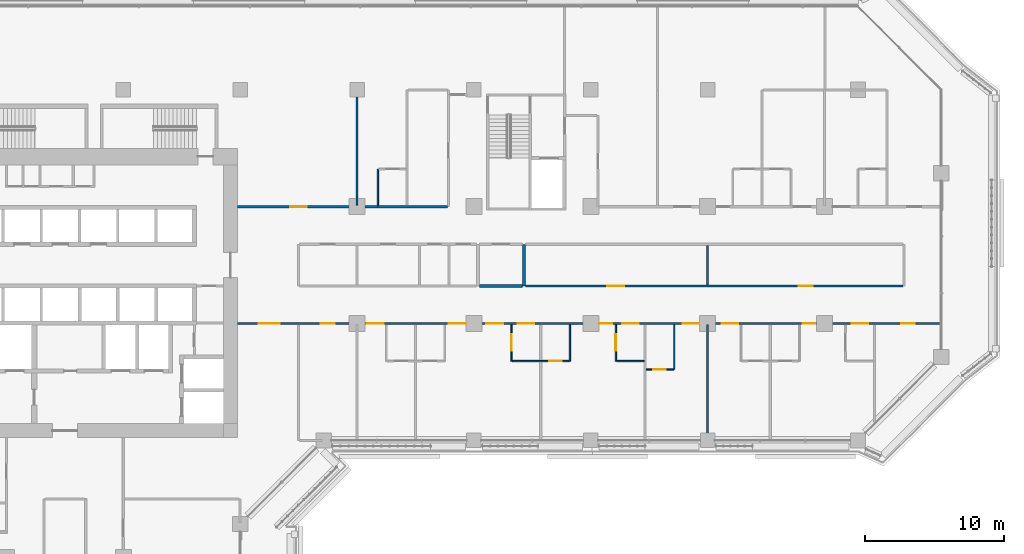
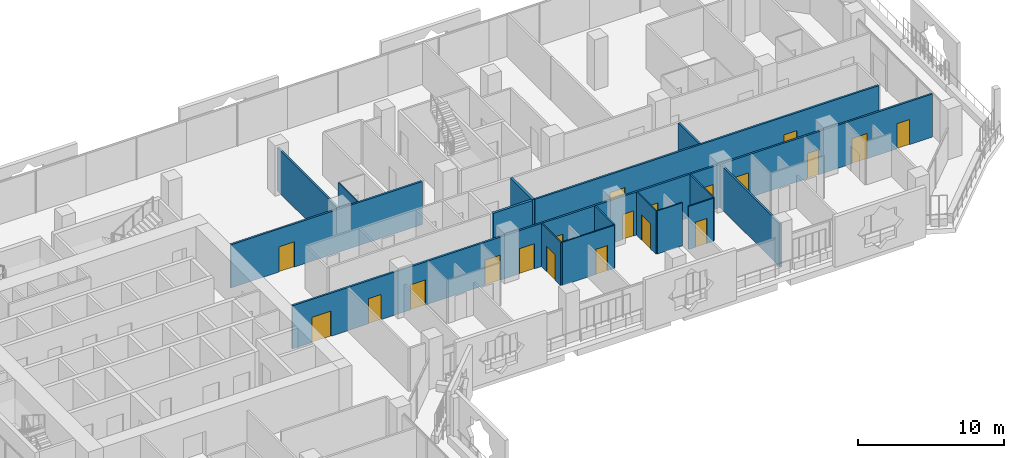
# One storey, part 15 of 25: 20 doors, 16 walls, 20 openings.
"""IFC4 building model written with IfcOpenShell, lengths in metres."""

import ifcopenshell
import ifcopenshell.guid

model = None  # the IFC model being written
_history = None  # IfcOwnerHistory: only IFC2X3 demands one
_inside = {}  # id of a spatial element -> (the spatial element, [elements in it])
_under = {}  # id of a project, library or spatial element -> (it, [spatial elements below it])
_declared = {}  # id of a project -> (the project, [libraries it declares])
_typed = {}  # id of a type object -> (the type object, [elements of that type])
_made_of = {}  # id of a material, layer set ... -> (it, [elements and type objects made of it])


def new_model(schema):
    """Start an empty IFC model of exactly this schema.

    Asked for "IFC4X3", IfcOpenShell would pick the latest addendum, in which some entities
    have other attributes; the version numbers below select the first issue.
    IFC2X3 requires an IfcOwnerHistory on every rooted entity: one is made here for all.
    """
    global model, _history
    if schema == "IFC4X3":
        model = ifcopenshell.file(schema_version=(4, 3, 0, 0))
    else:
        model = ifcopenshell.file(schema=schema)
    _inside.clear()
    _under.clear()
    _declared.clear()
    _typed.clear()
    _made_of.clear()
    _history = None
    if model.schema == "IFC2X3":
        org = make("IfcOrganization", Name="unknown")
        user = make(
            "IfcPersonAndOrganization",
            ThePerson=make("IfcPerson", FamilyName="unknown"),
            TheOrganization=org,
        )
        app = make(
            "IfcApplication",
            ApplicationDeveloper=org,
            Version="unknown",
            ApplicationFullName="unknown",
            ApplicationIdentifier="unknown",
        )
        _history = make(
            "IfcOwnerHistory",
            OwningUser=user,
            OwningApplication=app,
            ChangeAction="ADDED",
            CreationDate=0,
        )
    return model


def make(cls, **values):
    """One entity of the class cls with the attributes given. An attribute that is None is left unset."""
    return model.create_entity(
        cls, **{name: value for name, value in values.items() if value is not None}
    )


def rooted(cls, **values):
    """An entity with a GlobalId (a new one), such as an element, a storey or a relation."""
    return make(cls, GlobalId=ifcopenshell.guid.new(), OwnerHistory=_history, **values)


def si_unit(unit_type, name, prefix=None):
    """IfcSIUnit, for example si_unit("LENGTHUNIT", "METRE", prefix="MILLI")."""
    return make("IfcSIUnit", UnitType=unit_type, Prefix=prefix, Name=name)


def assignment(units):
    """IfcUnitAssignment: the units of a project."""
    return None if units is None else make("IfcUnitAssignment", Units=units)


def point(xyz):
    """IfcCartesianPoint."""
    return None if xyz is None else make("IfcCartesianPoint", Coordinates=xyz)


def direction(xyz):
    """IfcDirection."""
    return None if xyz is None else make("IfcDirection", DirectionRatios=xyz)


def frame(location, z_axis=None, x_axis=None):
    """IfcAxis2Placement3D, a coordinate frame: its origin and axes. An axis left out is left unset."""
    return make(
        "IfcAxis2Placement3D",
        Location=point(location),
        Axis=direction(z_axis),
        RefDirection=direction(x_axis),
    )


def frame_2d(location, x_axis=None):
    """IfcAxis2Placement2D, a coordinate frame in the plane: its origin and x axis."""
    return make(
        "IfcAxis2Placement2D", Location=point(location), RefDirection=direction(x_axis)
    )


def origin():
    """The frame at (0, 0, 0) with its axes left unset."""
    return frame((0.0, 0.0, 0.0))


def place(relative_to, where):
    """IfcLocalPlacement: puts the frame where relative to a parent placement (None: the world)."""
    return make(
        "IfcLocalPlacement", PlacementRelTo=relative_to, RelativePlacement=where
    )


def context(
    kind, dimensions, precision=None, world=None, true_north=None, identifier=None
):
    """IfcGeometricRepresentationContext, for example the 3D "Model" context."""
    return make(
        "IfcGeometricRepresentationContext",
        ContextIdentifier=identifier,
        ContextType=kind,
        CoordinateSpaceDimension=dimensions,
        Precision=precision,
        WorldCoordinateSystem=world,
        TrueNorth=true_north,
    )


def subcontext(parent, identifier, kind, view, scale=None):
    """IfcGeometricRepresentationSubContext, for example "Body" below "Model"."""
    return make(
        "IfcGeometricRepresentationSubContext",
        ContextIdentifier=identifier,
        ContextType=kind,
        ParentContext=parent,
        TargetScale=scale,
        TargetView=view,
    )


def project(units=None, contexts=None):
    """IfcProject with its units and contexts."""
    return rooted(
        "IfcProject",
        Name="project",
        RepresentationContexts=contexts,
        UnitsInContext=assignment(units),
    )


def spatial(cls, under=None, at=None, **own):
    """A site, building, storey or space (cls), placed at a placement, below another one or the project."""
    s = rooted(cls, ObjectPlacement=at, **own)
    if under is not None:
        _under.setdefault(under.id(), (under, []))[1].append(s)
    return s


def profile(cls, at=None, kind="AREA", **sizes):
    """A parametric profile (cls). Its sizes go by their IFC names, for example OverallWidth=200.0."""
    return make(cls, ProfileType=kind, Position=at, **sizes)


def rectangle(**sizes):
    """IfcRectangleProfileDef."""
    return profile("IfcRectangleProfileDef", **sizes)


def extrude(swept, where, along, depth):
    """IfcExtrudedAreaSolid: the profile swept, set in the frame where, extruded along a direction by depth."""
    return make(
        "IfcExtrudedAreaSolid",
        SweptArea=swept,
        Position=where,
        ExtrudedDirection=direction(along),
        Depth=depth,
    )


def shape(context_of_items, identifier, shape_type, items):
    """IfcShapeRepresentation: the items that make up one representation, for example the "Body"."""
    return make(
        "IfcShapeRepresentation",
        ContextOfItems=context_of_items,
        RepresentationIdentifier=identifier,
        RepresentationType=shape_type,
        Items=items,
    )


def material(Name=None, Category=None):
    """IfcMaterial."""
    return make("IfcMaterial", Name=Name, Category=Category)


def layer(
    of_material, thickness, ventilated=None, Name=None, Category=None, Priority=None
):
    """IfcMaterialLayer: one layer of a wall or slab, of a material (None: an air gap)."""
    return make(
        "IfcMaterialLayer",
        Material=of_material,
        LayerThickness=thickness,
        IsVentilated=ventilated,
        Name=Name,
        Category=Category,
        Priority=Priority,
    )


def layer_set(layers, Name=None):
    """IfcMaterialLayerSet."""
    return make("IfcMaterialLayerSet", MaterialLayers=layers, LayerSetName=Name)


def made_of(thing, what):
    """Note that an element or type object is made of a material, layer set ...; save() writes the relation."""
    if what is not None:
        _made_of.setdefault(what.id(), (what, []))[1].append(thing)
    return thing


def type_object(cls, material=None, **own):
    """A type object (cls), such as IfcWallType, which elements share."""
    return made_of(rooted(cls, **own), material)


def element(
    cls,
    number,
    at=None,
    inside=None,
    cuts=None,
    type_object=None,
    material=None,
    context=None,
    identifier="Body",
    shape_type=None,
    held_by="IfcProductDefinitionShape",
    body=None,
    shapes=None,
    **own,
):
    """One element of the class cls, such as IfcWall. Its Tag is "e" and its number.

    at: its placement. inside: the storey or other place that contains it. cuts: it is an
    opening in that element (IfcRelVoidsElement). A single representation is given by context,
    identifier, shape_type and body (its items); several are given by shapes. held_by: the class
    of the entity that holds the representations. save() writes the other relations.
    """
    e = rooted(cls, Tag="e%d" % number, ObjectPlacement=at, **own)
    if body is not None:
        shapes = [shape(context, identifier, shape_type, body)]
    if shapes is not None:
        e.Representation = make(held_by, Representations=shapes)
    if inside is not None:
        _inside.setdefault(inside.id(), (inside, []))[1].append(e)
    if cuts is not None:
        rooted(
            "IfcRelVoidsElement", RelatingBuildingElement=cuts, RelatedOpeningElement=e
        )
    if type_object is not None:
        _typed.setdefault(type_object.id(), (type_object, []))[1].append(e)
    return made_of(e, material)


def fill(opening, filler):
    """IfcRelFillsElement: the door or window that sits in an opening."""
    return rooted(
        "IfcRelFillsElement",
        RelatingOpeningElement=opening,
        RelatedBuildingElement=filler,
    )


def aggregate(whole, parts):
    """IfcRelAggregates: a whole, such as a stair, and the parts it consists of."""
    return rooted("IfcRelAggregates", RelatingObject=whole, RelatedObjects=parts)


def save(model, path):
    """Write the relations noted so far, then the file.

    IfcRelAggregates (storeys below a building ...), IfcRelContainedInSpatialStructure (elements
    in a storey), IfcRelDefinesByType, IfcRelAssociatesMaterial and IfcRelDeclares: one each for
    every whole, place, type object, material and project.
    """
    for whole, parts in _under.values():
        aggregate(whole, parts)
    for where, things in _inside.values():
        rooted(
            "IfcRelContainedInSpatialStructure",
            RelatedElements=things,
            RelatingStructure=where,
        )
    for kind, things in _typed.values():
        rooted("IfcRelDefinesByType", RelatedObjects=things, RelatingType=kind)
    for what, things in _made_of.values():
        rooted("IfcRelAssociatesMaterial", RelatedObjects=things, RelatingMaterial=what)
    for by, libraries in _declared.values():
        rooted("IfcRelDeclares", RelatingContext=by, RelatedDefinitions=libraries)
    model.write(path)


model = new_model("IFC4")

# Units and contexts
model_context = context("Model", 3, precision=1e-05, world=origin(), true_north=direction((0.0, 1.0)))
body_context = subcontext(model_context, "Body", "Model", "MODEL_VIEW")
ifc_project = project(units=[si_unit("LENGTHUNIT", "METRE"), si_unit("AREAUNIT", "SQUARE_METRE"), si_unit("VOLUMEUNIT", "CUBIC_METRE"), si_unit("PLANEANGLEUNIT", "RADIAN"), si_unit("MASSUNIT", "GRAM", prefix="KILO")], contexts=[model_context])

# Site, building, storey
site_placement = place(None, origin())
site = spatial("IfcSite", under=ifc_project, at=site_placement, CompositionType="ELEMENT")
building_placement = place(site_placement, origin())
building = spatial("IfcBuilding", under=site, at=building_placement, Name="Kawkab Arch Medical Tower", CompositionType="ELEMENT")
storey_placement = place(building_placement, frame((0.0, 0.0, 140.800048828125)))
storey = spatial("IfcBuildingStorey", under=building, at=storey_placement, Name="L32", CompositionType="ELEMENT", Elevation=140.800048828125)

# Wall, opening, door
ifc_material_1 = material(Name="Gypsum board partition on steel studs", Category="steel")
ifc_layer_1 = layer(ifc_material_1, 0.10009765625)
ifc_layer_set_1 = layer_set([ifc_layer_1], Name="Gypsum board partition on steel studs")
wall_type_1 = type_object("IfcWallType", Name="Partition 100", PredefinedType="PARTITIONING", material=ifc_layer_set_1)
wall_1_placement = place(storey_placement, frame((54.375, -20.10009765625, 0.0), z_axis=(0.0, 0.0, 1.0), x_axis=(1.0, 0.0, 0.0)))
wall_1 = element("IfcWall", 1, at=wall_1_placement, inside=storey, type_object=wall_type_1, Name="Partition 100 w005", PredefinedType="PARTITIONING", context=body_context, shape_type="SweptSolid", body=[
    extrude(rectangle(XDim=1.97509765625, YDim=0.10009765625, at=frame_2d((0.987548828125, 0.0))), origin(), (0.0, 0.0, 1.0), 3.599853515625),
])
opening_1_placement = place(wall_1_placement, frame((0.52490234375, 0.0, 0.0)))
opening_1 = element("IfcOpeningElement", 2, at=opening_1_placement, cuts=wall_1, Name="Opening W27-011", PredefinedType="OPENING", context=body_context, shape_type="SweptSolid", body=[
    extrude(rectangle(XDim=0.89990234375, YDim=2.10009765625, at=frame_2d((0.449951171875, 1.050048828125))), frame((0.0, 0.06005859375, 0.0), z_axis=(0.0, -1.0, 0.0), x_axis=(1.0, 0.0, 0.0)), (0.0, 0.0, 1.0), 0.1201171875),
])
ifc_material_2 = material(Name="Timber door leaf", Category="wood")
door_type_1 = type_object("IfcDoorType", Name="Single door 900x2100", OperationType="NOTDEFINED", PredefinedType="DOOR", material=ifc_material_2)
door_1_placement = place(opening_1_placement, origin())
door_1 = element("IfcDoor", 3, at=door_1_placement, inside=storey, type_object=door_type_1, Name="Door W27-011", OperationType="SINGLE_SWING_LEFT", OverallHeight=2.10009765625, OverallWidth=0.89990234375, PredefinedType="DOOR", context=body_context, shape_type="SweptSolid", body=[
    extrude(rectangle(XDim=0.89990234375, YDim=2.10009765625, at=frame_2d((0.449951171875, 1.050048828125))), frame((0.0, 0.02490234375, 0.0), z_axis=(0.0, -1.0, 0.0), x_axis=(1.0, 0.0, 0.0)), (0.0, 0.0, 1.0), 0.050048828125),
])
fill(opening_1, door_1)

wall_2_placement = place(storey_placement, frame((44.75, -19.5, 0.0), z_axis=(0.0, 0.0, 1.0), x_axis=(1.0, 0.0, 0.0)))
wall_2 = element("IfcWall", 4, at=wall_2_placement, inside=storey, type_object=wall_type_1, Name="Partition 100 w007", PredefinedType="PARTITIONING", context=body_context, shape_type="SweptSolid", body=[
    extrude(rectangle(XDim=4.10009765625, YDim=0.10009765625, at=frame_2d((2.050048828125, 0.0))), origin(), (0.0, 0.0, 1.0), 3.599853515625),
])
opening_2_placement = place(wall_2_placement, frame((2.64990234375, 0.0, 0.0)))
opening_2 = element("IfcOpeningElement", 5, at=opening_2_placement, cuts=wall_2, Name="Opening W27-010", PredefinedType="OPENING", context=body_context, shape_type="SweptSolid", body=[
    extrude(rectangle(XDim=0.89990234375, YDim=2.10009765625, at=frame_2d((0.449951171875, 1.050048828125))), frame((0.0, 0.06005859375, 0.0), z_axis=(0.0, -1.0, 0.0), x_axis=(1.0, 0.0, 0.0)), (0.0, 0.0, 1.0), 0.1201171875),
])
door_2_placement = place(opening_2_placement, origin())
door_2 = element("IfcDoor", 6, at=door_2_placement, inside=storey, type_object=door_type_1, Name="Door W27-010", OperationType="SINGLE_SWING_LEFT", OverallHeight=2.10009765625, OverallWidth=0.89990234375, PredefinedType="DOOR", context=body_context, shape_type="SweptSolid", body=[
    extrude(rectangle(XDim=0.89990234375, YDim=2.10009765625, at=frame_2d((0.449951171875, 1.050048828125))), frame((0.0, 0.02490234375, 0.0), z_axis=(0.0, -1.0, 0.0), x_axis=(1.0, 0.0, 0.0)), (0.0, 0.0, 1.0), 0.050048828125),
])
fill(opening_2, door_2)

# Walls
wall_3_placement = place(storey_placement, frame((52.25, -19.5, 0.0), z_axis=(0.0, 0.0, 1.0), x_axis=(1.0, 0.0, 0.0)))
element("IfcWall", 7, at=wall_3_placement, inside=storey, type_object=wall_type_1, Name="Partition 100 w008", PredefinedType="PARTITIONING", context=body_context, shape_type="SweptSolid", body=[
    extrude(rectangle(XDim=1.97509765625, YDim=0.10009765625, at=frame_2d((0.987548828125, 0.0))), origin(), (0.0, 0.0, 1.0), 3.599853515625),
])
wall_4_placement = place(storey_placement, frame((35.10009765625, -8.324951171875, 0.0), z_axis=(0.0, 0.0, 1.0), x_axis=(0.0, 1.0, 0.0)))
element("IfcWall", 8, at=wall_4_placement, inside=storey, type_object=wall_type_1, Name="Partition 100 w017", PredefinedType="PARTITIONING", context=body_context, shape_type="SweptSolid", body=[
    extrude(rectangle(XDim=2.623046875, YDim=0.10009765625, at=frame_2d((1.3115234375, 0.0))), origin(), (0.0, 0.0, 1.0), 3.599853515625),
])

# Wall, opening, door
wall_5_placement = place(storey_placement, frame((44.699951171875, -19.5, 0.0), z_axis=(0.0, 0.0, 1.0), x_axis=(0.0, 1.0, 0.0)))
wall_5 = element("IfcWall", 9, at=wall_5_placement, inside=storey, type_object=wall_type_1, Name="Partition 100 w020", PredefinedType="PARTITIONING", context=body_context, shape_type="SweptSolid", body=[
    extrude(rectangle(XDim=2.625, YDim=0.10009765625, at=frame_2d((1.3125, 0.0))), origin(), (0.0, 0.0, 1.0), 3.599853515625),
])
opening_3_placement = place(wall_5_placement, frame((0.75, 0.0, 0.0)))
opening_3 = element("IfcOpeningElement", 10, at=opening_3_placement, cuts=wall_5, Name="Opening W27-046", PredefinedType="OPENING", context=body_context, shape_type="SweptSolid", body=[
    extrude(rectangle(XDim=1.199951171875, YDim=2.10009765625, at=frame_2d((0.60009765625, 1.050048828125))), frame((0.0, 0.06005859375, 0.0), z_axis=(0.0, -1.0, 0.0), x_axis=(1.0, 0.0, 0.0)), (0.0, 0.0, 1.0), 0.1201171875),
])
ifc_material_3 = material(Name="Timber door leaf", Category="wood")
door_type_2 = type_object("IfcDoorType", Name="Single door 1200x2100", OperationType="NOTDEFINED", PredefinedType="DOOR", material=ifc_material_3)
door_3_placement = place(opening_3_placement, origin())
door_3 = element("IfcDoor", 11, at=door_3_placement, inside=storey, type_object=door_type_2, Name="Door W27-046", OperationType="SINGLE_SWING_LEFT", OverallHeight=2.10009765625, OverallWidth=1.199951171875, PredefinedType="DOOR", context=body_context, shape_type="SweptSolid", body=[
    extrude(rectangle(XDim=1.199951171875, YDim=2.10009765625, at=frame_2d((0.60009765625, 1.050048828125))), frame((0.0, 0.02490234375, 0.0), z_axis=(0.0, -1.0, 0.0), x_axis=(1.0, 0.0, 0.0)), (0.0, 0.0, 1.0), 0.050048828125),
])
fill(opening_3, door_3)

# Wall
wall_6_placement = place(storey_placement, frame((48.89990234375, -19.5, 0.0), z_axis=(0.0, 0.0, 1.0), x_axis=(0.0, 1.0, 0.0)))
element("IfcWall", 12, at=wall_6_placement, inside=storey, type_object=wall_type_1, Name="Partition 100 w021", PredefinedType="PARTITIONING", context=body_context, shape_type="SweptSolid", body=[
    extrude(rectangle(XDim=2.625, YDim=0.10009765625, at=frame_2d((1.3125, 0.0))), origin(), (0.0, 0.0, 1.0), 3.599853515625),
])

# Wall, opening, door
wall_7_placement = place(storey_placement, frame((52.199951171875, -19.5, 0.0), z_axis=(0.0, 0.0, 1.0), x_axis=(0.0, 1.0, 0.0)))
wall_7 = element("IfcWall", 13, at=wall_7_placement, inside=storey, type_object=wall_type_1, Name="Partition 100 w022", PredefinedType="PARTITIONING", context=body_context, shape_type="SweptSolid", body=[
    extrude(rectangle(XDim=2.625, YDim=0.10009765625, at=frame_2d((1.3125, 0.0))), origin(), (0.0, 0.0, 1.0), 3.599853515625),
])
opening_4_placement = place(wall_7_placement, frame((0.75, 0.0, 0.0)))
opening_4 = element("IfcOpeningElement", 14, at=opening_4_placement, cuts=wall_7, Name="Opening W27-048", PredefinedType="OPENING", context=body_context, shape_type="SweptSolid", body=[
    extrude(rectangle(XDim=1.199951171875, YDim=2.10009765625, at=frame_2d((0.60009765625, 1.050048828125))), frame((0.0, 0.06005859375, 0.0), z_axis=(0.0, -1.0, 0.0), x_axis=(1.0, 0.0, 0.0)), (0.0, 0.0, 1.0), 0.1201171875),
])
door_4_placement = place(opening_4_placement, origin())
door_4 = element("IfcDoor", 15, at=door_4_placement, inside=storey, type_object=door_type_2, Name="Door W27-048", OperationType="SINGLE_SWING_LEFT", OverallHeight=2.10009765625, OverallWidth=1.199951171875, PredefinedType="DOOR", context=body_context, shape_type="SweptSolid", body=[
    extrude(rectangle(XDim=1.199951171875, YDim=2.10009765625, at=frame_2d((0.60009765625, 1.050048828125))), frame((0.0, 0.02490234375, 0.0), z_axis=(0.0, -1.0, 0.0), x_axis=(1.0, 0.0, 0.0)), (0.0, 0.0, 1.0), 0.050048828125),
])
fill(opening_4, door_4)

# Wall
wall_8_placement = place(storey_placement, frame((56.39990234375, -20.10009765625, 0.0), z_axis=(0.0, 0.0, 1.0), x_axis=(0.0, 1.0, 0.0)))
element("IfcWall", 16, at=wall_8_placement, inside=storey, type_object=wall_type_1, Name="Partition 100 w023", PredefinedType="PARTITIONING", context=body_context, shape_type="SweptSolid", body=[
    extrude(rectangle(XDim=3.22509765625, YDim=0.10009765625, at=frame_2d((1.612548828125, 0.0))), origin(), (0.0, 0.0, 1.0), 3.599853515625),
])

# Wall, openings, doors
ifc_material_4 = material(Name="Gypsum board partition on steel studs, mineral wool", Category="steel")
ifc_layer_2 = layer(ifc_material_4, 0.14990234375)
ifc_layer_set_2 = layer_set([ifc_layer_2], Name="Gypsum board partition on steel studs, mineral wool")
wall_type_2 = type_object("IfcWallType", Name="Partition 150", PredefinedType="PARTITIONING", material=ifc_layer_set_2)
wall_9_placement = place(storey_placement, frame((25.0, -16.800048828125, 0.0), z_axis=(0.0, 0.0, 1.0), x_axis=(1.0, 0.0, 0.0)))
wall_9 = element("IfcWall", 17, at=wall_9_placement, inside=storey, type_object=wall_type_2, Name="Partition 150 w046", PredefinedType="PARTITIONING", context=body_context, shape_type="SweptSolid", body=[
    extrude(rectangle(XDim=50.52001953125, YDim=0.14990234375, at=frame_2d((25.260009765625, 0.0))), origin(), (0.0, 0.0, 1.0), 3.599853515625),
])
opening_5_placement = place(wall_9_placement, frame((1.550048828125, 0.0, 0.0)))
opening_5 = element("IfcOpeningElement", 18, at=opening_5_placement, cuts=wall_9, Name="Opening W27-001", PredefinedType="OPENING", context=body_context, shape_type="SweptSolid", body=[
    extrude(rectangle(XDim=1.5, YDim=2.10009765625, at=frame_2d((0.75, 1.050048828125))), frame((0.0, 0.0849609375, 0.0), z_axis=(0.0, -1.0, 0.0), x_axis=(1.0, 0.0, 0.0)), (0.0, 0.0, 1.0), 0.169921875),
])
opening_6_placement = place(wall_9_placement, frame((6.0, 0.0, 0.0)))
opening_6 = element("IfcOpeningElement", 19, at=opening_6_placement, cuts=wall_9, Name="Opening W27-028", PredefinedType="OPENING", context=body_context, shape_type="SweptSolid", body=[
    extrude(rectangle(XDim=1.0, YDim=2.10009765625, at=frame_2d((0.5, 1.050048828125))), frame((0.0, 0.0849609375, 0.0), z_axis=(0.0, -1.0, 0.0), x_axis=(1.0, 0.0, 0.0)), (0.0, 0.0, 1.0), 0.169921875),
])
opening_7_placement = place(wall_9_placement, frame((9.300048828125, 0.0, 0.0)))
opening_7 = element("IfcOpeningElement", 20, at=opening_7_placement, cuts=wall_9, Name="Opening W27-042", PredefinedType="OPENING", context=body_context, shape_type="SweptSolid", body=[
    extrude(rectangle(XDim=1.199951171875, YDim=2.10009765625, at=frame_2d((0.60009765625, 1.050048828125))), frame((0.0, 0.0849609375, 0.0), z_axis=(0.0, -1.0, 0.0), x_axis=(1.0, 0.0, 0.0)), (0.0, 0.0, 1.0), 0.169921875),
])
opening_8_placement = place(wall_9_placement, frame((17.89990234375, 0.0, 0.0)))
opening_8 = element("IfcOpeningElement", 21, at=opening_8_placement, cuts=wall_9, Name="Opening W27-043", PredefinedType="OPENING", context=body_context, shape_type="SweptSolid", body=[
    extrude(rectangle(XDim=1.199951171875, YDim=2.10009765625, at=frame_2d((0.60009765625, 1.050048828125))), frame((0.0, 0.0849609375, 0.0), z_axis=(0.0, -1.0, 0.0), x_axis=(1.0, 0.0, 0.0)), (0.0, 0.0, 1.0), 0.169921875),
])
opening_9_placement = place(wall_9_placement, frame((15.199951171875, 0.0, 0.0)))
opening_9 = element("IfcOpeningElement", 22, at=opening_9_placement, cuts=wall_9, Name="Opening W27-044", PredefinedType="OPENING", context=body_context, shape_type="SweptSolid", body=[
    extrude(rectangle(XDim=1.199951171875, YDim=2.10009765625, at=frame_2d((0.60009765625, 1.050048828125))), frame((0.0, 0.0849609375, 0.0), z_axis=(0.0, -1.0, 0.0), x_axis=(1.0, 0.0, 0.0)), (0.0, 0.0, 1.0), 0.169921875),
])
opening_10_placement = place(wall_9_placement, frame((20.14990234375, 0.0, 0.0)))
opening_10 = element("IfcOpeningElement", 23, at=opening_10_placement, cuts=wall_9, Name="Opening W27-045", PredefinedType="OPENING", context=body_context, shape_type="SweptSolid", body=[
    extrude(rectangle(XDim=1.199951171875, YDim=2.10009765625, at=frame_2d((0.60009765625, 1.050048828125))), frame((0.0, 0.0849609375, 0.0), z_axis=(0.0, -1.0, 0.0), x_axis=(1.0, 0.0, 0.0)), (0.0, 0.0, 1.0), 0.169921875),
])
opening_11_placement = place(wall_9_placement, frame((26.02490234375, 0.0, 0.0)))
opening_11 = element("IfcOpeningElement", 24, at=opening_11_placement, cuts=wall_9, Name="Opening W27-020", PredefinedType="OPENING", context=body_context, shape_type="SweptSolid", body=[
    extrude(rectangle(XDim=0.89990234375, YDim=2.10009765625, at=frame_2d((0.449951171875, 1.050048828125))), frame((0.0, 0.0849609375, 0.0), z_axis=(0.0, -1.0, 0.0), x_axis=(1.0, 0.0, 0.0)), (0.0, 0.0, 1.0), 0.169921875),
])
opening_12_placement = place(wall_9_placement, frame((27.64990234375, 0.0, 0.0)))
opening_12 = element("IfcOpeningElement", 25, at=opening_12_placement, cuts=wall_9, Name="Opening W27-047", PredefinedType="OPENING", context=body_context, shape_type="SweptSolid", body=[
    extrude(rectangle(XDim=1.199951171875, YDim=2.10009765625, at=frame_2d((0.60009765625, 1.050048828125))), frame((0.0, 0.0849609375, 0.0), z_axis=(0.0, -1.0, 0.0), x_axis=(1.0, 0.0, 0.0)), (0.0, 0.0, 1.0), 0.169921875),
])
opening_13_placement = place(wall_9_placement, frame((32.0, 0.0, 0.0)))
opening_13 = element("IfcOpeningElement", 26, at=opening_13_placement, cuts=wall_9, Name="Opening W27-049", PredefinedType="OPENING", context=body_context, shape_type="SweptSolid", body=[
    extrude(rectangle(XDim=1.199951171875, YDim=2.10009765625, at=frame_2d((0.60009765625, 1.050048828125))), frame((0.0, 0.0849609375, 0.0), z_axis=(0.0, -1.0, 0.0), x_axis=(1.0, 0.0, 0.0)), (0.0, 0.0, 1.0), 0.169921875),
])
opening_14_placement = place(wall_9_placement, frame((34.800048828125, 0.0, 0.0)))
opening_14 = element("IfcOpeningElement", 27, at=opening_14_placement, cuts=wall_9, Name="Opening W27-050", PredefinedType="OPENING", context=body_context, shape_type="SweptSolid", body=[
    extrude(rectangle(XDim=1.199951171875, YDim=2.10009765625, at=frame_2d((0.60009765625, 1.050048828125))), frame((0.0, 0.0849609375, 0.0), z_axis=(0.0, -1.0, 0.0), x_axis=(1.0, 0.0, 0.0)), (0.0, 0.0, 1.0), 0.169921875),
])
opening_15_placement = place(wall_9_placement, frame((40.625, 0.0, 0.0)))
opening_15 = element("IfcOpeningElement", 28, at=opening_15_placement, cuts=wall_9, Name="Opening W27-021", PredefinedType="OPENING", context=body_context, shape_type="SweptSolid", body=[
    extrude(rectangle(XDim=0.89990234375, YDim=2.10009765625, at=frame_2d((0.449951171875, 1.050048828125))), frame((0.0, 0.0849609375, 0.0), z_axis=(0.0, -1.0, 0.0), x_axis=(1.0, 0.0, 0.0)), (0.0, 0.0, 1.0), 0.169921875),
])
opening_16_placement = place(wall_9_placement, frame((44.14990234375, 0.0, 0.0)))
opening_16 = element("IfcOpeningElement", 29, at=opening_16_placement, cuts=wall_9, Name="Opening W27-051", PredefinedType="OPENING", context=body_context, shape_type="SweptSolid", body=[
    extrude(rectangle(XDim=1.199951171875, YDim=2.10009765625, at=frame_2d((0.60009765625, 1.050048828125))), frame((0.0, 0.0849609375, 0.0), z_axis=(0.0, -1.0, 0.0), x_axis=(1.0, 0.0, 0.0)), (0.0, 0.0, 1.0), 0.169921875),
])
opening_17_placement = place(wall_9_placement, frame((47.699951171875, 0.0, 0.0)))
opening_17 = element("IfcOpeningElement", 30, at=opening_17_placement, cuts=wall_9, Name="Opening W27-029", PredefinedType="OPENING", context=body_context, shape_type="SweptSolid", body=[
    extrude(rectangle(XDim=1.0, YDim=2.10009765625, at=frame_2d((0.5, 1.050048828125))), frame((0.0, 0.0849609375, 0.0), z_axis=(0.0, -1.0, 0.0), x_axis=(1.0, 0.0, 0.0)), (0.0, 0.0, 1.0), 0.169921875),
])
ifc_material_5 = material(Name="Hollow metal door leaf")
door_type_3 = type_object("IfcDoorType", Name="Double door 1500x2100 FD30S", OperationType="NOTDEFINED", PredefinedType="DOOR", material=ifc_material_5)
door_5_placement = place(opening_5_placement, origin())
door_5 = element("IfcDoor", 31, at=door_5_placement, inside=storey, type_object=door_type_3, Name="Door W27-001", OperationType="DOUBLE_DOOR_SINGLE_SWING", OverallHeight=2.10009765625, OverallWidth=1.5, PredefinedType="DOOR", context=body_context, shape_type="SweptSolid", body=[
    extrude(rectangle(XDim=1.5, YDim=2.10009765625, at=frame_2d((0.75, 1.050048828125))), frame((0.0, 0.02490234375, 0.0), z_axis=(0.0, -1.0, 0.0), x_axis=(1.0, 0.0, 0.0)), (0.0, 0.0, 1.0), 0.050048828125),
])
fill(opening_5, door_5)
ifc_material_6 = material(Name="Hollow metal door leaf")
door_type_4 = type_object("IfcDoorType", Name="Single door 1000x2100 FD30S", OperationType="NOTDEFINED", PredefinedType="DOOR", material=ifc_material_6)
door_6_placement = place(opening_6_placement, origin())
door_6 = element("IfcDoor", 32, at=door_6_placement, inside=storey, type_object=door_type_4, Name="Door W27-028", OperationType="SINGLE_SWING_RIGHT", OverallHeight=2.10009765625, OverallWidth=1.0, PredefinedType="DOOR", context=body_context, shape_type="SweptSolid", body=[
    extrude(rectangle(XDim=1.0, YDim=2.10009765625, at=frame_2d((0.5, 1.050048828125))), frame((0.0, 0.02490234375, 0.0), z_axis=(0.0, -1.0, 0.0), x_axis=(1.0, 0.0, 0.0)), (0.0, 0.0, 1.0), 0.050048828125),
])
fill(opening_6, door_6)
door_7_placement = place(opening_17_placement, origin())
door_7 = element("IfcDoor", 33, at=door_7_placement, inside=storey, type_object=door_type_4, Name="Door W27-029", OperationType="SINGLE_SWING_LEFT", OverallHeight=2.10009765625, OverallWidth=1.0, PredefinedType="DOOR", context=body_context, shape_type="SweptSolid", body=[
    extrude(rectangle(XDim=1.0, YDim=2.10009765625, at=frame_2d((0.5, 1.050048828125))), frame((0.0, 0.02490234375, 0.0), z_axis=(0.0, -1.0, 0.0), x_axis=(1.0, 0.0, 0.0)), (0.0, 0.0, 1.0), 0.050048828125),
])
fill(opening_17, door_7)
ifc_material_7 = material(Name="Hollow metal door leaf")
door_type_5 = type_object("IfcDoorType", Name="Single door 1200x2100 FD30S", OperationType="NOTDEFINED", PredefinedType="DOOR", material=ifc_material_7)
door_8_placement = place(opening_7_placement, origin())
door_8 = element("IfcDoor", 34, at=door_8_placement, inside=storey, type_object=door_type_5, Name="Door W27-042", OperationType="SINGLE_SWING_RIGHT", OverallHeight=2.10009765625, OverallWidth=1.199951171875, PredefinedType="DOOR", context=body_context, shape_type="SweptSolid", body=[
    extrude(rectangle(XDim=1.199951171875, YDim=2.10009765625, at=frame_2d((0.60009765625, 1.050048828125))), frame((0.0, 0.02490234375, 0.0), z_axis=(0.0, -1.0, 0.0), x_axis=(1.0, 0.0, 0.0)), (0.0, 0.0, 1.0), 0.050048828125),
])
fill(opening_7, door_8)
door_9_placement = place(opening_8_placement, origin())
door_9 = element("IfcDoor", 35, at=door_9_placement, inside=storey, type_object=door_type_5, Name="Door W27-043", OperationType="SINGLE_SWING_RIGHT", OverallHeight=2.10009765625, OverallWidth=1.199951171875, PredefinedType="DOOR", context=body_context, shape_type="SweptSolid", body=[
    extrude(rectangle(XDim=1.199951171875, YDim=2.10009765625, at=frame_2d((0.60009765625, 1.050048828125))), frame((0.0, 0.02490234375, 0.0), z_axis=(0.0, -1.0, 0.0), x_axis=(1.0, 0.0, 0.0)), (0.0, 0.0, 1.0), 0.050048828125),
])
fill(opening_8, door_9)
door_10_placement = place(opening_9_placement, origin())
door_10 = element("IfcDoor", 36, at=door_10_placement, inside=storey, type_object=door_type_5, Name="Door W27-044", OperationType="SINGLE_SWING_RIGHT", OverallHeight=2.10009765625, OverallWidth=1.199951171875, PredefinedType="DOOR", context=body_context, shape_type="SweptSolid", body=[
    extrude(rectangle(XDim=1.199951171875, YDim=2.10009765625, at=frame_2d((0.60009765625, 1.050048828125))), frame((0.0, 0.02490234375, 0.0), z_axis=(0.0, -1.0, 0.0), x_axis=(1.0, 0.0, 0.0)), (0.0, 0.0, 1.0), 0.050048828125),
])
fill(opening_9, door_10)
door_11_placement = place(opening_10_placement, origin())
door_11 = element("IfcDoor", 37, at=door_11_placement, inside=storey, type_object=door_type_5, Name="Door W27-045", OperationType="SINGLE_SWING_RIGHT", OverallHeight=2.10009765625, OverallWidth=1.199951171875, PredefinedType="DOOR", context=body_context, shape_type="SweptSolid", body=[
    extrude(rectangle(XDim=1.199951171875, YDim=2.10009765625, at=frame_2d((0.60009765625, 1.050048828125))), frame((0.0, 0.02490234375, 0.0), z_axis=(0.0, -1.0, 0.0), x_axis=(1.0, 0.0, 0.0)), (0.0, 0.0, 1.0), 0.050048828125),
])
fill(opening_10, door_11)
door_12_placement = place(opening_12_placement, origin())
door_12 = element("IfcDoor", 38, at=door_12_placement, inside=storey, type_object=door_type_5, Name="Door W27-047", OperationType="SINGLE_SWING_LEFT", OverallHeight=2.10009765625, OverallWidth=1.199951171875, PredefinedType="DOOR", context=body_context, shape_type="SweptSolid", body=[
    extrude(rectangle(XDim=1.199951171875, YDim=2.10009765625, at=frame_2d((0.60009765625, 1.050048828125))), frame((0.0, 0.02490234375, 0.0), z_axis=(0.0, -1.0, 0.0), x_axis=(1.0, 0.0, 0.0)), (0.0, 0.0, 1.0), 0.050048828125),
])
fill(opening_12, door_12)
door_13_placement = place(opening_13_placement, origin())
door_13 = element("IfcDoor", 39, at=door_13_placement, inside=storey, type_object=door_type_5, Name="Door W27-049", OperationType="SINGLE_SWING_LEFT", OverallHeight=2.10009765625, OverallWidth=1.199951171875, PredefinedType="DOOR", context=body_context, shape_type="SweptSolid", body=[
    extrude(rectangle(XDim=1.199951171875, YDim=2.10009765625, at=frame_2d((0.60009765625, 1.050048828125))), frame((0.0, 0.02490234375, 0.0), z_axis=(0.0, -1.0, 0.0), x_axis=(1.0, 0.0, 0.0)), (0.0, 0.0, 1.0), 0.050048828125),
])
fill(opening_13, door_13)
door_14_placement = place(opening_14_placement, origin())
door_14 = element("IfcDoor", 40, at=door_14_placement, inside=storey, type_object=door_type_5, Name="Door W27-050", OperationType="SINGLE_SWING_LEFT", OverallHeight=2.10009765625, OverallWidth=1.199951171875, PredefinedType="DOOR", context=body_context, shape_type="SweptSolid", body=[
    extrude(rectangle(XDim=1.199951171875, YDim=2.10009765625, at=frame_2d((0.60009765625, 1.050048828125))), frame((0.0, 0.02490234375, 0.0), z_axis=(0.0, -1.0, 0.0), x_axis=(1.0, 0.0, 0.0)), (0.0, 0.0, 1.0), 0.050048828125),
])
fill(opening_14, door_14)
door_15_placement = place(opening_16_placement, origin())
door_15 = element("IfcDoor", 41, at=door_15_placement, inside=storey, type_object=door_type_5, Name="Door W27-051", OperationType="SINGLE_SWING_LEFT", OverallHeight=2.10009765625, OverallWidth=1.199951171875, PredefinedType="DOOR", context=body_context, shape_type="SweptSolid", body=[
    extrude(rectangle(XDim=1.199951171875, YDim=2.10009765625, at=frame_2d((0.60009765625, 1.050048828125))), frame((0.0, 0.02490234375, 0.0), z_axis=(0.0, -1.0, 0.0), x_axis=(1.0, 0.0, 0.0)), (0.0, 0.0, 1.0), 0.050048828125),
])
fill(opening_16, door_15)
ifc_material_8 = material(Name="Hollow metal door leaf")
door_type_6 = type_object("IfcDoorType", Name="Single door 900x2100 FD30S", OperationType="NOTDEFINED", PredefinedType="DOOR", material=ifc_material_8)
door_16_placement = place(opening_11_placement, origin())
door_16 = element("IfcDoor", 42, at=door_16_placement, inside=storey, type_object=door_type_6, Name="Door W27-020", OperationType="SINGLE_SWING_LEFT", OverallHeight=2.10009765625, OverallWidth=0.89990234375, PredefinedType="DOOR", context=body_context, shape_type="SweptSolid", body=[
    extrude(rectangle(XDim=0.89990234375, YDim=2.10009765625, at=frame_2d((0.449951171875, 1.050048828125))), frame((0.0, 0.02490234375, 0.0), z_axis=(0.0, -1.0, 0.0), x_axis=(1.0, 0.0, 0.0)), (0.0, 0.0, 1.0), 0.050048828125),
])
fill(opening_11, door_16)
door_17_placement = place(opening_15_placement, origin())
door_17 = element("IfcDoor", 43, at=door_17_placement, inside=storey, type_object=door_type_6, Name="Door W27-021", OperationType="SINGLE_SWING_LEFT", OverallHeight=2.10009765625, OverallWidth=0.89990234375, PredefinedType="DOOR", context=body_context, shape_type="SweptSolid", body=[
    extrude(rectangle(XDim=0.89990234375, YDim=2.10009765625, at=frame_2d((0.449951171875, 1.050048828125))), frame((0.0, 0.02490234375, 0.0), z_axis=(0.0, -1.0, 0.0), x_axis=(1.0, 0.0, 0.0)), (0.0, 0.0, 1.0), 0.050048828125),
])
fill(opening_15, door_17)

wall_10_placement = place(storey_placement, frame((45.699951171875, -14.10009765625, 0.0), z_axis=(0.0, 0.0, 1.0), x_axis=(1.0, 0.0, 0.0)))
wall_10 = element("IfcWall", 44, at=wall_10_placement, inside=storey, type_object=wall_type_2, Name="Partition 150 w048", PredefinedType="PARTITIONING", context=body_context, shape_type="SweptSolid", body=[
    extrude(rectangle(XDim=27.125, YDim=0.14990234375, at=frame_2d((13.5625, 0.0))), origin(), (0.0, 0.0, 1.0), 3.599853515625),
])
opening_18_placement = place(wall_10_placement, frame((5.89990234375, 0.0, 0.0)))
opening_18 = element("IfcOpeningElement", 45, at=opening_18_placement, cuts=wall_10, Name="Opening W27-041", PredefinedType="OPENING", context=body_context, shape_type="SweptSolid", body=[
    extrude(rectangle(XDim=1.199951171875, YDim=2.10009765625, at=frame_2d((0.60009765625, 1.050048828125))), frame((0.0, 0.0849609375, 0.0), z_axis=(0.0, -1.0, 0.0), x_axis=(1.0, 0.0, 0.0)), (0.0, 0.0, 1.0), 0.169921875),
])
opening_19_placement = place(wall_10_placement, frame((19.64990234375, 0.0, 0.0)))
opening_19 = element("IfcOpeningElement", 46, at=opening_19_placement, cuts=wall_10, Name="Opening W27-027", PredefinedType="OPENING", context=body_context, shape_type="SweptSolid", body=[
    extrude(rectangle(XDim=1.0, YDim=2.10009765625, at=frame_2d((0.5, 1.050048828125))), frame((0.0, 0.0849609375, 0.0), z_axis=(0.0, -1.0, 0.0), x_axis=(1.0, 0.0, 0.0)), (0.0, 0.0, 1.0), 0.169921875),
])
door_18_placement = place(opening_19_placement, origin())
door_18 = element("IfcDoor", 47, at=door_18_placement, inside=storey, type_object=door_type_4, Name="Door W27-027", OperationType="SINGLE_SWING_RIGHT", OverallHeight=2.10009765625, OverallWidth=1.0, PredefinedType="DOOR", context=body_context, shape_type="SweptSolid", body=[
    extrude(rectangle(XDim=1.0, YDim=2.10009765625, at=frame_2d((0.5, 1.050048828125))), frame((0.0, 0.02490234375, 0.0), z_axis=(0.0, -1.0, 0.0), x_axis=(1.0, 0.0, 0.0)), (0.0, 0.0, 1.0), 0.050048828125),
])
fill(opening_19, door_18)
door_19_placement = place(opening_18_placement, origin())
door_19 = element("IfcDoor", 48, at=door_19_placement, inside=storey, type_object=door_type_5, Name="Door W27-041", OperationType="SINGLE_SWING_LEFT", OverallHeight=2.10009765625, OverallWidth=1.199951171875, PredefinedType="DOOR", context=body_context, shape_type="SweptSolid", body=[
    extrude(rectangle(XDim=1.199951171875, YDim=2.10009765625, at=frame_2d((0.60009765625, 1.050048828125))), frame((0.0, 0.02490234375, 0.0), z_axis=(0.0, -1.0, 0.0), x_axis=(1.0, 0.0, 0.0)), (0.0, 0.0, 1.0), 0.050048828125),
])
fill(opening_18, door_19)

# Wall, opening, door
wall_11_placement = place(storey_placement, frame((25.0, -8.39990234375, 0.0), z_axis=(0.0, 0.0, 1.0), x_axis=(1.0, 0.0, 0.0)))
wall_11 = element("IfcWall", 49, at=wall_11_placement, inside=storey, type_object=wall_type_2, Name="Partition 150 w051", PredefinedType="PARTITIONING", context=body_context, shape_type="SweptSolid", body=[
    extrude(rectangle(XDim=15.10693359375, YDim=0.14990234375, at=frame_2d((7.553466796875, 0.0))), origin(), (0.0, 0.0, 1.0), 3.599853515625),
])
opening_20_placement = place(wall_11_placement, frame((3.800048828125, 0.0, 0.0)))
opening_20 = element("IfcOpeningElement", 50, at=opening_20_placement, cuts=wall_11, Name="Opening W27-037", PredefinedType="OPENING", context=body_context, shape_type="SweptSolid", body=[
    extrude(rectangle(XDim=1.199951171875, YDim=2.10009765625, at=frame_2d((0.60009765625, 1.050048828125))), frame((0.0, 0.0849609375, 0.0), z_axis=(0.0, -1.0, 0.0), x_axis=(1.0, 0.0, 0.0)), (0.0, 0.0, 1.0), 0.169921875),
])
door_20_placement = place(opening_20_placement, origin())
door_20 = element("IfcDoor", 51, at=door_20_placement, inside=storey, type_object=door_type_5, Name="Door W27-037", OperationType="SINGLE_SWING_LEFT", OverallHeight=2.10009765625, OverallWidth=1.199951171875, PredefinedType="DOOR", context=body_context, shape_type="SweptSolid", body=[
    extrude(rectangle(XDim=1.199951171875, YDim=2.10009765625, at=frame_2d((0.60009765625, 1.050048828125))), frame((0.0, 0.02490234375, 0.0), z_axis=(0.0, -1.0, 0.0), x_axis=(1.0, 0.0, 0.0)), (0.0, 0.0, 1.0), 0.050048828125),
])
fill(opening_20, door_20)

# Walls
wall_12_placement = place(storey_placement, frame((33.60009765625, -8.324951171875, 0.0), z_axis=(0.0, 0.0, 1.0), x_axis=(0.0, 1.0, 0.0)))
element("IfcWall", 52, at=wall_12_placement, inside=storey, type_object=wall_type_2, Name="Partition 150 w069", PredefinedType="PARTITIONING", context=body_context, shape_type="SweptSolid", body=[
    extrude(rectangle(XDim=8.322021484375, YDim=0.14990234375, at=frame_2d((4.1611328125, 0.0))), origin(), (0.0, 0.0, 1.0), 3.599853515625),
])
wall_13_placement = place(storey_placement, frame((58.800048828125, -25.1201171875, 0.0), z_axis=(0.0, 0.0, 1.0), x_axis=(0.0, 1.0, 0.0)))
element("IfcWall", 53, at=wall_13_placement, inside=storey, type_object=wall_type_2, Name="Partition 150 w082", PredefinedType="PARTITIONING", context=body_context, shape_type="SweptSolid", body=[
    extrude(rectangle(XDim=8.2451171875, YDim=0.14990234375, at=frame_2d((4.12255859375, 0.0))), origin(), (0.0, 0.0, 1.0), 3.599853515625),
])
wall_14_placement = place(storey_placement, frame((58.800048828125, -14.02490234375, 0.0), z_axis=(0.0, 0.0, 1.0), x_axis=(0.0, 1.0, 0.0)))
element("IfcWall", 54, at=wall_14_placement, inside=storey, type_object=wall_type_2, Name="Partition 150 w083", PredefinedType="PARTITIONING", context=body_context, shape_type="SweptSolid", body=[
    extrude(rectangle(XDim=2.849853515625, YDim=0.14990234375, at=frame_2d((1.4248046875, 0.0))), origin(), (0.0, 0.0, 1.0), 3.599853515625),
])
ifc_material_9 = material(Name="Fire-rated gypsum board partition on steel studs", Category="steel")
ifc_layer_3 = layer(ifc_material_9, 0.199951171875)
ifc_layer_set_3 = layer_set([ifc_layer_3], Name="Fire-rated gypsum board partition on steel studs")
wall_type_3 = type_object("IfcWallType", Name="Protected partition 200", PredefinedType="PARTITIONING", material=ifc_layer_set_3)
wall_15_placement = place(storey_placement, frame((42.39990234375, -14.10009765625, 0.0), z_axis=(0.0, 0.0, 1.0), x_axis=(1.0, 0.0, 0.0)))
element("IfcWall", 55, at=wall_15_placement, inside=storey, type_object=wall_type_3, Name="Protected partition 200 w091", PredefinedType="PARTITIONING", context=body_context, shape_type="SweptSolid", body=[
    extrude(rectangle(XDim=3.10009765625, YDim=0.199951171875, at=frame_2d((1.550048828125, 0.0))), origin(), (0.0, 0.0, 1.0), 3.599853515625),
])
wall_16_placement = place(storey_placement, frame((45.60009765625, -14.10009765625, 0.0), z_axis=(0.0, 0.0, 1.0), x_axis=(0.0, 1.0, 0.0)))
element("IfcWall", 56, at=wall_16_placement, inside=storey, type_object=wall_type_3, Name="Protected partition 200 w094", PredefinedType="PARTITIONING", context=body_context, shape_type="SweptSolid", body=[
    extrude(rectangle(XDim=3.0, YDim=0.199951171875, at=frame_2d((1.5, 0.0))), origin(), (0.0, 0.0, 1.0), 3.599853515625),
])

save(model, "model.ifc")
